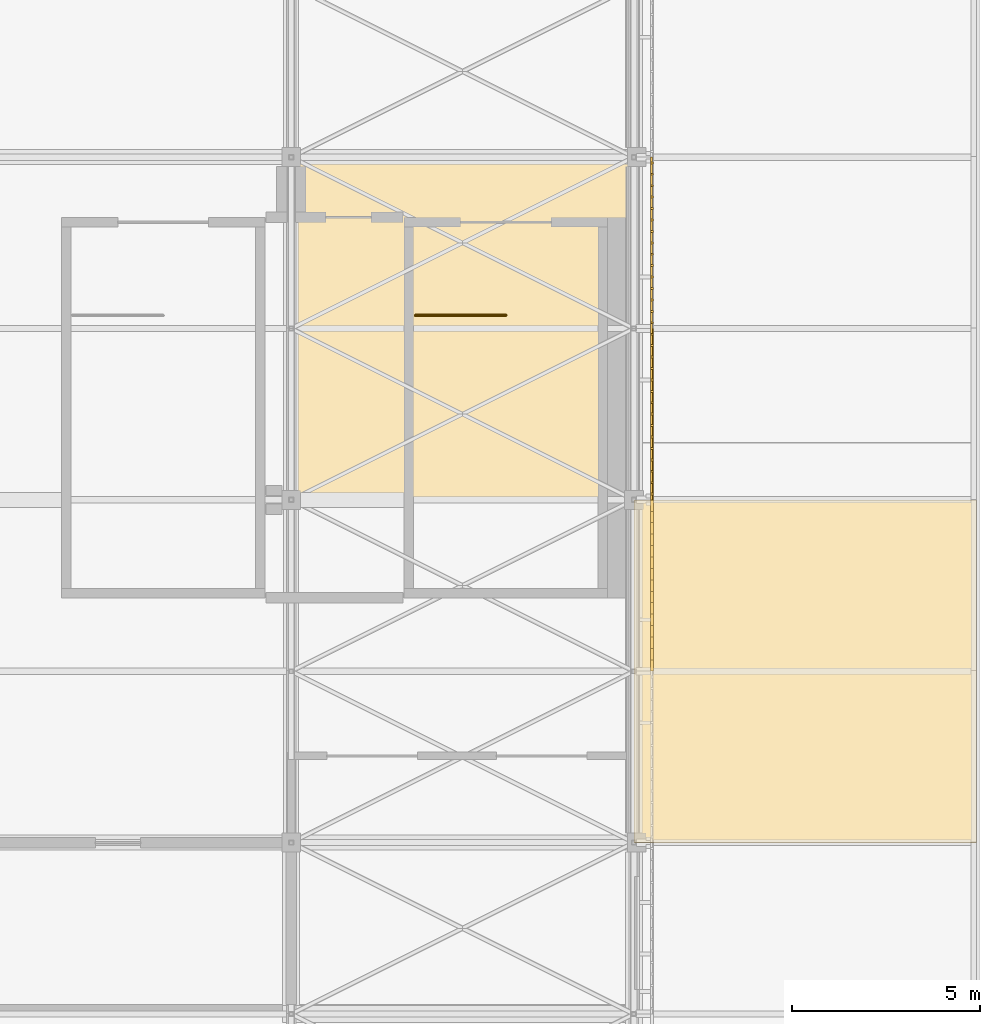
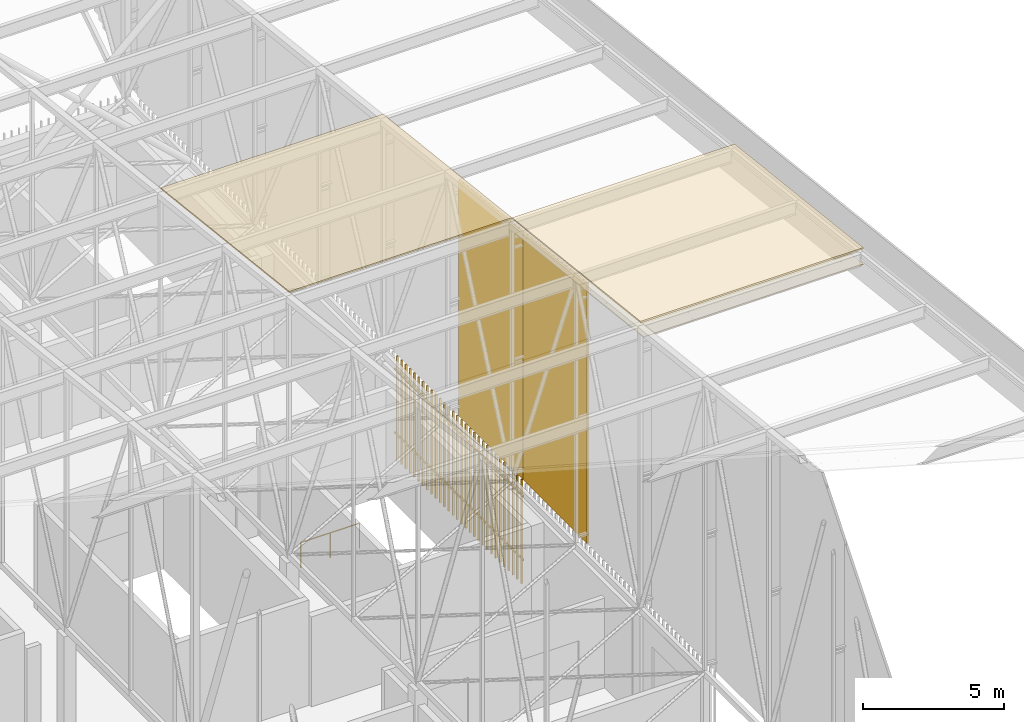
# One storey, part 494 of 500: 4 coverings, 3 shading devices, 1 railing.
"""IFC4 building model written with IfcOpenShell, lengths in metres."""

from ifc_helpers import new_model, si_unit, direction, frame, origin, origin_2d, place, context, subcontext, project, spatial, polyline, rectangle, circle, outline, extrude, material, layer, layer_set, type_object, element, save


model = new_model("IFC4")

# Units and contexts
model_context = context("Model", 3, precision=1e-05, world=origin(), true_north=direction((0.0, 1.0)))
body_context = subcontext(model_context, "Body", "Model", "MODEL_VIEW")
ifc_project = project(units=[si_unit("LENGTHUNIT", "METRE"), si_unit("AREAUNIT", "SQUARE_METRE"), si_unit("VOLUMEUNIT", "CUBIC_METRE"), si_unit("PLANEANGLEUNIT", "RADIAN"), si_unit("MASSUNIT", "GRAM", prefix="KILO")], contexts=[model_context])

# Site, building, storey
site_placement = place(None, origin())
site = spatial("IfcSite", under=ifc_project, at=site_placement, CompositionType="ELEMENT")
building_placement = place(site_placement, origin())
building = spatial("IfcBuilding", under=site, at=building_placement, Name="Shirokan Park Arena", CompositionType="ELEMENT")
storey_placement = place(building_placement, frame((0.0, 0.0, 29.1201171875)))
storey = spatial("IfcBuildingStorey", under=building, at=storey_placement, Name="L06", CompositionType="ELEMENT", Elevation=29.1201171875)

# Coverings
ifc_material_1 = material(Name="Bituminous roofing membrane")
ifc_layer_1 = layer(ifc_material_1, 0.010009765625, Name="Bituminous roofing membrane")
ifc_material_2 = material(Name="Mineral wool insulation")
ifc_layer_2 = layer(ifc_material_2, 0.050048828125, Name="Mineral wool insulation")
ifc_layer_set_1 = layer_set([ifc_layer_1, ifc_layer_2], Name="Bituminous roofing membrane + Mineral wool insulation")
covering_type_1 = type_object("IfcCoveringType", Name="Roofing membrane 60", PredefinedType="ROOFING", material=ifc_layer_set_1)
covering_1_placement = place(storey_placement, frame((136.5, 81.89990234375, 16.05078125), z_axis=(0.0, 0.113549598152, 0.993532328996), x_axis=(1.0, 0.0, 0.0)))
element("IfcCovering", 1, at=covering_1_placement, inside=storey, type_object=covering_type_1, Name="Roofing", PredefinedType="ROOFING", context=body_context, shape_type="SweptSolid", body=[
    extrude(outline(polyline([(0.0, 0.0), (9.10009765625, 0.0), (9.10009765625, 9.15933723611117), (0.0, 9.15933723611117), (0.0, 0.0)])), origin(), (0.0, 0.0, -1.0), 0.06005859375),
])
covering_2_placement = place(storey_placement, frame((145.60009765625, 72.800048828125, 17.090576171875), z_axis=(0.0, 0.113526293343, 0.993534992197), x_axis=(1.0, 0.0, 0.0)))
element("IfcCovering", 2, at=covering_2_placement, inside=storey, type_object=covering_type_1, Name="Roofing", PredefinedType="ROOFING", context=body_context, shape_type="SweptSolid", body=[
    extrude(outline(polyline([(0.0, 0.0), (9.099853515625, 0.0), (9.099853515625, 9.159066954957241), (0.0, 9.159066954957241), (0.0, 0.0)])), origin(), (0.0, 0.0, -1.0), 0.06005859375),
])

# Railing
ifc_material_3 = material(Name="Stainless steel", Category="steel")
railing_type = type_object("IfcRailingType", Name="Stair well guard 1100", PredefinedType="GUARDRAIL", material=ifc_material_3)
railing_placement = place(storey_placement, frame((139.800048828125, 86.800048828125, 0.0)))
element("IfcRailing", 3, at=railing_placement, inside=storey, type_object=railing_type, Name="Guard Exit Stair 3.E L06", PredefinedType="GUARDRAIL", context=body_context, shape_type="SweptSolid", body=[
    extrude(circle(Radius=0.02490234375, at=origin_2d()), frame((0.0, 0.0, 1.0771484375), z_axis=(1.0, 0.0, 0.0), x_axis=(0.0, 1.0, 0.0)), (0.0, 0.0, 1.0), 2.39990234375),
    extrude(circle(Radius=0.02490234375, at=origin_2d()), origin(), (0.0, 0.0, 1.0), 1.052001953125),
    extrude(circle(Radius=0.02490234375, at=origin_2d()), frame((1.199951171875, 0.0, 0.0)), (0.0, 0.0, 1.0), 1.052001953125),
    extrude(circle(Radius=0.02490234375, at=origin_2d()), frame((2.39990234375, 0.0, 0.0)), (0.0, 0.0, 1.0), 1.052001953125),
])

# Coverings
ifc_material_4 = material(Name="Timber soffit boards (cedar)", Category="wood")
ifc_layer_3 = layer(ifc_material_4, 0.030029296875)
ifc_layer_set_2 = layer_set([ifc_layer_3], Name="Timber soffit boards (cedar) 30 mm")
covering_type_2 = type_object("IfcCoveringType", Name="Timber boarded soffit panel", PredefinedType="CLADDING", material=ifc_layer_set_2)
covering_3_placement = place(storey_placement, origin())
element("IfcCovering", 4, at=covering_3_placement, inside=storey, type_object=covering_type_2, Name="Rake soffit east bay 19", PredefinedType="CLADDING", context=body_context, shape_type="SweptSolid", body=[
    extrude(outline(polyline([(0.0, 0.0), (0.12000000000000455, 0.0), (0.12000000000000455, -4.579617887990218), (0.0, -4.579617887990218), (0.0, 0.0)])), frame((145.846923828125, 72.800048828125, 16.3818359375), z_axis=(0.0, 0.113546591161, 0.993532672656), x_axis=(-1.0, 0.0, 0.0)), (0.0, 0.0, -1.0), 0.030029296875),
    extrude(outline(polyline([(0.0, 0.0), (0.11999999999997613, 0.0), (0.11999999999997613, -4.579617887990217), (0.0, -4.579617887990217), (0.0, 0.0)])), frame((154.580078125, 77.35009765625, 15.86181640625), z_axis=(0.0, 0.113546591161, 0.993532672656), x_axis=(1.0, 0.0, 0.0)), (0.0, 0.0, -1.0), 0.030029296875),
    extrude(outline(polyline([(0.0, 0.0), (0.12078064455862855, 0.0), (0.12078064455862855, -8.733000000000006), (0.0, -8.733000000000006), (0.0, 0.0)])), frame((154.580078125, 77.35009765625, 15.86181640625), z_axis=(0.0, 0.11351156512, 0.993536675007), x_axis=(0.0, -0.993536675007, 0.11351156512)), (0.0, 0.0, -1.0), 0.030029296875),
    extrude(outline(polyline([(0.0, 0.0), (0.12078064455864268, 0.0), (0.12078064455864268, -8.733000000000006), (0.0, -8.733000000000006), (0.0, 0.0)])), frame((145.846923828125, 72.800048828125, 16.3818359375), z_axis=(0.0, 0.11351156512, 0.993536675007), x_axis=(0.0, 0.993536675007, -0.11351156512)), (0.0, 0.0, -1.0), 0.030029296875),
    extrude(outline(polyline([(0.0, 0.0), (8.733000000000004, 0.0), (8.733000000000004, -0.18452428160000886), (0.0, -0.18452428160000886), (0.0, 0.0)])), frame((154.580078125, 72.919921875, 16.3681640625), z_axis=(0.0, 0.113589386818, 0.99352778079), x_axis=(-1.0, 0.0, 0.0)), (0.0, 0.0, -1.0), 0.030029296875),
    extrude(outline(polyline([(0.0, 0.0), (8.733000000000004, 0.0), (8.733000000000004, -0.3053137258624367), (0.0, -0.3053137258624367), (0.0, 0.0)])), frame((154.580078125, 73.103271484375, 16.34716796875), z_axis=(0.0, 0.113522573877, 0.993535417195), x_axis=(-1.0, 0.0, 0.0)), (0.0, 0.0, -1.0), 0.030029296875),
    extrude(outline(polyline([(0.0, 0.0), (8.733000000000004, 0.0), (8.733000000000004, -0.30530492593470027), (0.0, -0.30530492593470027), (0.0, 0.0)])), frame((154.580078125, 73.40673828125, 16.3125), z_axis=(0.0, 0.113558600124, 0.99353130013), x_axis=(-1.0, 0.0, 0.0)), (0.0, 0.0, -1.0), 0.030029296875),
    extrude(outline(polyline([(0.0, 0.0), (8.733000000000004, 0.0), (8.733000000000004, -0.3053049259347152), (0.0, -0.3053049259347152), (0.0, 0.0)])), frame((154.580078125, 73.7099609375, 16.27783203125), z_axis=(0.0, 0.113558600124, 0.99353130013), x_axis=(-1.0, 0.0, 0.0)), (0.0, 0.0, -1.0), 0.030029296875),
    extrude(outline(polyline([(0.0, 0.0), (8.733000000000004, 0.0), (8.733000000000004, -0.30531372586243666), (0.0, -0.30531372586243666), (0.0, 0.0)])), frame((154.580078125, 74.013427734375, 16.2431640625), z_axis=(0.0, 0.113522573877, 0.993535417195), x_axis=(-1.0, 0.0, 0.0)), (0.0, 0.0, -1.0), 0.030029296875),
    extrude(outline(polyline([(0.0, 0.0), (8.733000000000004, 0.0), (8.733000000000004, -0.3053049259347152), (0.0, -0.3053049259347152), (0.0, 0.0)])), frame((154.580078125, 74.316650390625, 16.20849609375), z_axis=(0.0, 0.113558600124, 0.99353130013), x_axis=(-1.0, 0.0, 0.0)), (0.0, 0.0, -1.0), 0.030029296875),
    extrude(outline(polyline([(0.0, 0.0), (8.733000000000004, 0.0), (8.733000000000004, -0.30530492593471437), (0.0, -0.30530492593471437), (0.0, 0.0)])), frame((154.580078125, 74.6201171875, 16.173828125), z_axis=(0.0, 0.113558600124, 0.99353130013), x_axis=(-1.0, 0.0, 0.0)), (0.0, 0.0, -1.0), 0.030029296875),
    extrude(outline(polyline([(0.0, 0.0), (8.733000000000004, 0.0), (8.733000000000004, -0.30531372586242256), (0.0, -0.30531372586242256), (0.0, 0.0)])), frame((154.580078125, 74.92333984375, 16.13916015625), z_axis=(0.0, 0.113522573877, 0.993535417195), x_axis=(-1.0, 0.0, 0.0)), (0.0, 0.0, -1.0), 0.030029296875),
    extrude(outline(polyline([(0.0, 0.0), (8.733000000000004, 0.0), (8.733000000000004, -0.30530492593471514), (0.0, -0.30530492593471514), (0.0, 0.0)])), frame((154.580078125, 75.2265625, 16.1044921875), z_axis=(0.0, 0.113558600124, 0.99353130013), x_axis=(-1.0, 0.0, 0.0)), (0.0, 0.0, -1.0), 0.030029296875),
    extrude(outline(polyline([(0.0, 0.0), (8.733000000000004, 0.0), (8.733000000000004, -0.30530492593471437), (0.0, -0.30530492593471437), (0.0, 0.0)])), frame((154.580078125, 75.530029296875, 16.06982421875), z_axis=(0.0, 0.113558600124, 0.99353130013), x_axis=(-1.0, 0.0, 0.0)), (0.0, 0.0, -1.0), 0.030029296875),
    extrude(outline(polyline([(0.0, 0.0), (8.733000000000004, 0.0), (8.733000000000004, -0.30531372586242334), (0.0, -0.30531372586242334), (0.0, 0.0)])), frame((154.580078125, 75.833251953125, 16.03515625), z_axis=(0.0, 0.113522573877, 0.993535417195), x_axis=(-1.0, 0.0, 0.0)), (0.0, 0.0, -1.0), 0.030029296875),
    extrude(outline(polyline([(0.0, 0.0), (8.733000000000004, 0.0), (8.733000000000004, -0.30530492593471437), (0.0, -0.30530492593471437), (0.0, 0.0)])), frame((154.580078125, 76.13671875, 16.00048828125), z_axis=(0.0, 0.113558600124, 0.99353130013), x_axis=(-1.0, 0.0, 0.0)), (0.0, 0.0, -1.0), 0.030029296875),
    extrude(outline(polyline([(0.0, 0.0), (8.733000000000004, 0.0), (8.733000000000004, -0.30530492593471437), (0.0, -0.30530492593471437), (0.0, 0.0)])), frame((154.580078125, 76.43994140625, 15.9658203125), z_axis=(0.0, 0.113558600124, 0.99353130013), x_axis=(-1.0, 0.0, 0.0)), (0.0, 0.0, -1.0), 0.030029296875),
    extrude(outline(polyline([(0.0, 0.0), (8.733000000000004, 0.0), (8.733000000000004, -0.3053137258624375), (0.0, -0.3053137258624375), (0.0, 0.0)])), frame((154.580078125, 76.743408203125, 15.93115234375), z_axis=(0.0, 0.113522573877, 0.993535417195), x_axis=(-1.0, 0.0, 0.0)), (0.0, 0.0, -1.0), 0.030029296875),
    extrude(outline(polyline([(0.0, 0.0), (0.18452428160000803, 0.0), (0.18452428160000803, -8.733000000000004), (0.0, -8.733000000000004), (0.0, 0.0)])), frame((154.580078125, 77.22998046875, 15.87548828125), z_axis=(0.0, 0.113589386818, 0.99352778079), x_axis=(0.0, -0.99352778079, 0.113589386818)), (0.0, 0.0, -1.0), 0.030029296875),
])
covering_4_placement = place(storey_placement, origin())
element("IfcCovering", 5, at=covering_4_placement, inside=storey, type_object=covering_type_2, Name="Rake soffit east bay 20", PredefinedType="CLADDING", context=body_context, shape_type="SweptSolid", body=[
    extrude(outline(polyline([(0.0, 0.0), (0.12000000000000455, 0.0), (0.12000000000000455, -4.579617887990231), (0.0, -4.579617887990231), (0.0, 0.0)])), frame((145.846923828125, 77.35009765625, 15.86181640625), z_axis=(0.0, 0.113546591161, 0.993532672656), x_axis=(-1.0, 0.0, 0.0)), (0.0, 0.0, -1.0), 0.030029296875),
    extrude(outline(polyline([(0.0, 0.0), (0.11999999999997613, 0.0), (0.11999999999997613, -4.5796178879902305), (0.0, -4.5796178879902305), (0.0, 0.0)])), frame((154.580078125, 81.89990234375, 15.341796875), z_axis=(0.0, 0.113546591161, 0.993532672656), x_axis=(1.0, 0.0, 0.0)), (0.0, 0.0, -1.0), 0.030029296875),
    extrude(outline(polyline([(0.0, 0.0), (0.12078064455864188, 0.0), (0.12078064455864188, -8.733000000000004), (0.0, -8.733000000000004), (0.0, 0.0)])), frame((154.580078125, 81.89990234375, 15.341796875), z_axis=(0.0, 0.11351156512, 0.993536675007), x_axis=(0.0, -0.993536675007, 0.11351156512)), (0.0, 0.0, -1.0), 0.030029296875),
    extrude(outline(polyline([(0.0, 0.0), (0.12078064455864188, 0.0), (0.12078064455864188, -8.733000000000004), (0.0, -8.733000000000004), (0.0, 0.0)])), frame((145.846923828125, 77.35009765625, 15.86181640625), z_axis=(0.0, 0.11351156512, 0.993536675007), x_axis=(0.0, 0.993536675007, -0.11351156512)), (0.0, 0.0, -1.0), 0.030029296875),
    extrude(outline(polyline([(0.0, 0.0), (8.733000000000004, 0.0), (8.733000000000004, -0.18452428160000886), (0.0, -0.18452428160000886), (0.0, 0.0)])), frame((154.580078125, 77.469970703125, 15.84814453125), z_axis=(0.0, 0.113589386818, 0.99352778079), x_axis=(-1.0, 0.0, 0.0)), (0.0, 0.0, -1.0), 0.030029296875),
    extrude(outline(polyline([(0.0, 0.0), (8.733000000000004, 0.0), (8.733000000000004, -0.3053137258624375), (0.0, -0.3053137258624375), (0.0, 0.0)])), frame((154.580078125, 77.6533203125, 15.8271484375), z_axis=(0.0, 0.113522573877, 0.993535417195), x_axis=(-1.0, 0.0, 0.0)), (0.0, 0.0, -1.0), 0.030029296875),
    extrude(outline(polyline([(0.0, 0.0), (8.733000000000004, 0.0), (8.733000000000004, -0.30530492593471437), (0.0, -0.30530492593471437), (0.0, 0.0)])), frame((154.580078125, 77.956787109375, 15.79248046875), z_axis=(0.0, 0.113558600124, 0.99353130013), x_axis=(-1.0, 0.0, 0.0)), (0.0, 0.0, -1.0), 0.030029296875),
    extrude(outline(polyline([(0.0, 0.0), (8.733000000000004, 0.0), (8.733000000000004, -0.3053049259347002), (0.0, -0.3053049259347002), (0.0, 0.0)])), frame((154.580078125, 78.260009765625, 15.7578125), z_axis=(0.0, 0.113558600124, 0.99353130013), x_axis=(-1.0, 0.0, 0.0)), (0.0, 0.0, -1.0), 0.030029296875),
    extrude(outline(polyline([(0.0, 0.0), (8.733000000000004, 0.0), (8.733000000000004, -0.3053137258624375), (0.0, -0.3053137258624375), (0.0, 0.0)])), frame((154.580078125, 78.563232421875, 15.72314453125), z_axis=(0.0, 0.113522573877, 0.993535417195), x_axis=(-1.0, 0.0, 0.0)), (0.0, 0.0, -1.0), 0.030029296875),
    extrude(outline(polyline([(0.0, 0.0), (8.733000000000004, 0.0), (8.733000000000004, -0.30530492593471437), (0.0, -0.30530492593471437), (0.0, 0.0)])), frame((154.580078125, 78.86669921875, 15.6884765625), z_axis=(0.0, 0.113558600124, 0.99353130013), x_axis=(-1.0, 0.0, 0.0)), (0.0, 0.0, -1.0), 0.030029296875),
    extrude(outline(polyline([(0.0, 0.0), (8.733000000000004, 0.0), (8.733000000000004, -0.30530492593471437), (0.0, -0.30530492593471437), (0.0, 0.0)])), frame((154.580078125, 79.169921875, 15.65380859375), z_axis=(0.0, 0.113558600124, 0.99353130013), x_axis=(-1.0, 0.0, 0.0)), (0.0, 0.0, -1.0), 0.030029296875),
    extrude(outline(polyline([(0.0, 0.0), (8.733000000000004, 0.0), (8.733000000000004, -0.3053137258624234), (0.0, -0.3053137258624234), (0.0, 0.0)])), frame((154.580078125, 79.473388671875, 15.619140625), z_axis=(0.0, 0.113522573877, 0.993535417195), x_axis=(-1.0, 0.0, 0.0)), (0.0, 0.0, -1.0), 0.030029296875),
    extrude(outline(polyline([(0.0, 0.0), (8.733000000000004, 0.0), (8.733000000000004, -0.30530492593471437), (0.0, -0.30530492593471437), (0.0, 0.0)])), frame((154.580078125, 79.776611328125, 15.58447265625), z_axis=(0.0, 0.113558600124, 0.99353130013), x_axis=(-1.0, 0.0, 0.0)), (0.0, 0.0, -1.0), 0.030029296875),
    extrude(outline(polyline([(0.0, 0.0), (8.733000000000004, 0.0), (8.733000000000004, -0.30530492593471437), (0.0, -0.30530492593471437), (0.0, 0.0)])), frame((154.580078125, 80.080078125, 15.5498046875), z_axis=(0.0, 0.113558600124, 0.99353130013), x_axis=(-1.0, 0.0, 0.0)), (0.0, 0.0, -1.0), 0.030029296875),
    extrude(outline(polyline([(0.0, 0.0), (8.733000000000004, 0.0), (8.733000000000004, -0.3053137258624375), (0.0, -0.3053137258624375), (0.0, 0.0)])), frame((154.580078125, 80.38330078125, 15.51513671875), z_axis=(0.0, 0.113522573877, 0.993535417195), x_axis=(-1.0, 0.0, 0.0)), (0.0, 0.0, -1.0), 0.030029296875),
    extrude(outline(polyline([(0.0, 0.0), (8.733000000000004, 0.0), (8.733000000000004, -0.3053049259347002), (0.0, -0.3053049259347002), (0.0, 0.0)])), frame((154.580078125, 80.686767578125, 15.48046875), z_axis=(0.0, 0.113558600124, 0.99353130013), x_axis=(-1.0, 0.0, 0.0)), (0.0, 0.0, -1.0), 0.030029296875),
    extrude(outline(polyline([(0.0, 0.0), (8.733000000000004, 0.0), (8.733000000000004, -0.30530492593471514), (0.0, -0.30530492593471514), (0.0, 0.0)])), frame((154.580078125, 80.989990234375, 15.44580078125), z_axis=(0.0, 0.113558600124, 0.99353130013), x_axis=(-1.0, 0.0, 0.0)), (0.0, 0.0, -1.0), 0.030029296875),
    extrude(outline(polyline([(0.0, 0.0), (8.733000000000004, 0.0), (8.733000000000004, -0.3053137258624367), (0.0, -0.3053137258624367), (0.0, 0.0)])), frame((154.580078125, 81.293212890625, 15.4111328125), z_axis=(0.0, 0.113522573877, 0.993535417195), x_axis=(-1.0, 0.0, 0.0)), (0.0, 0.0, -1.0), 0.030029296875),
    extrude(outline(polyline([(0.0, 0.0), (0.18452428160000886, 0.0), (0.18452428160000886, -8.733000000000004), (0.0, -8.733000000000004), (0.0, 0.0)])), frame((154.580078125, 81.780029296875, 15.355712890625), z_axis=(0.0, 0.113589386818, 0.99352778079), x_axis=(0.0, -0.99352778079, 0.113589386818)), (0.0, 0.0, -1.0), 0.030029296875),
])

# Shading devices
ifc_material_5 = material(Name="Timber louvre veil (cedar)", Category="wood")
shading_device_type_1 = type_object("IfcShadingDeviceType", Name="Timber louvre veil panel", PredefinedType="JALOUSIE", material=ifc_material_5)
shading_device_1_placement = place(storey_placement, origin())
element("IfcShadingDevice", 6, at=shading_device_1_placement, inside=storey, type_object=shading_device_type_1, Name="Timber louvre veil east bay 10 L06", PredefinedType="JALOUSIE", context=body_context, shape_type="SweptSolid", body=[
    extrude(rectangle(XDim=0.050048828125, YDim=0.080078125, at=origin_2d()), frame((146.0849609375, 82.0517578125, 0.0), z_axis=(0.0, 0.0, 1.0), x_axis=(0.0, 1.0, 0.0)), (0.0, 0.0, 1.0), 4.5),
    extrude(rectangle(XDim=0.050048828125, YDim=0.080078125, at=origin_2d()), frame((146.0849609375, 82.35498046875, 0.0), z_axis=(0.0, 0.0, 1.0), x_axis=(0.0, 1.0, 0.0)), (0.0, 0.0, 1.0), 4.5),
    extrude(rectangle(XDim=0.050048828125, YDim=0.080078125, at=origin_2d()), frame((146.0849609375, 82.658447265625, 0.0), z_axis=(0.0, 0.0, 1.0), x_axis=(0.0, 1.0, 0.0)), (0.0, 0.0, 1.0), 4.5),
    extrude(rectangle(XDim=0.050048828125, YDim=0.080078125, at=origin_2d()), frame((146.0849609375, 82.961669921875, 0.0), z_axis=(0.0, 0.0, 1.0), x_axis=(0.0, 1.0, 0.0)), (0.0, 0.0, 1.0), 4.5),
    extrude(rectangle(XDim=0.050048828125, YDim=0.080078125, at=origin_2d()), frame((146.0849609375, 83.264892578125, 0.0), z_axis=(0.0, 0.0, 1.0), x_axis=(0.0, 1.0, 0.0)), (0.0, 0.0, 1.0), 4.5),
    extrude(rectangle(XDim=0.050048828125, YDim=0.080078125, at=origin_2d()), frame((146.0849609375, 83.568359375, 0.0), z_axis=(0.0, 0.0, 1.0), x_axis=(0.0, 1.0, 0.0)), (0.0, 0.0, 1.0), 4.5),
    extrude(rectangle(XDim=0.050048828125, YDim=0.080078125, at=origin_2d()), frame((146.0849609375, 83.87158203125, 0.0), z_axis=(0.0, 0.0, 1.0), x_axis=(0.0, 1.0, 0.0)), (0.0, 0.0, 1.0), 4.5),
    extrude(rectangle(XDim=0.050048828125, YDim=0.080078125, at=origin_2d()), frame((146.0849609375, 84.175048828125, 0.0), z_axis=(0.0, 0.0, 1.0), x_axis=(0.0, 1.0, 0.0)), (0.0, 0.0, 1.0), 4.5),
    extrude(rectangle(XDim=0.050048828125, YDim=0.080078125, at=origin_2d()), frame((146.0849609375, 84.478271484375, 0.0), z_axis=(0.0, 0.0, 1.0), x_axis=(0.0, 1.0, 0.0)), (0.0, 0.0, 1.0), 4.5),
    extrude(rectangle(XDim=0.050048828125, YDim=0.080078125, at=origin_2d()), frame((146.0849609375, 84.78173828125, 0.0), z_axis=(0.0, 0.0, 1.0), x_axis=(0.0, 1.0, 0.0)), (0.0, 0.0, 1.0), 4.5),
    extrude(rectangle(XDim=0.050048828125, YDim=0.080078125, at=origin_2d()), frame((146.0849609375, 85.0849609375, 0.0), z_axis=(0.0, 0.0, 1.0), x_axis=(0.0, 1.0, 0.0)), (0.0, 0.0, 1.0), 4.5),
    extrude(rectangle(XDim=0.050048828125, YDim=0.080078125, at=origin_2d()), frame((146.0849609375, 85.388427734375, 0.0), z_axis=(0.0, 0.0, 1.0), x_axis=(0.0, 1.0, 0.0)), (0.0, 0.0, 1.0), 4.5),
    extrude(rectangle(XDim=0.050048828125, YDim=0.080078125, at=origin_2d()), frame((146.0849609375, 85.691650390625, 0.0), z_axis=(0.0, 0.0, 1.0), x_axis=(0.0, 1.0, 0.0)), (0.0, 0.0, 1.0), 4.5),
    extrude(rectangle(XDim=0.050048828125, YDim=0.080078125, at=origin_2d()), frame((146.0849609375, 85.9951171875, 0.0), z_axis=(0.0, 0.0, 1.0), x_axis=(0.0, 1.0, 0.0)), (0.0, 0.0, 1.0), 4.5),
    extrude(rectangle(XDim=0.050048828125, YDim=0.080078125, at=origin_2d()), frame((146.0849609375, 86.29833984375, 0.0), z_axis=(0.0, 0.0, 1.0), x_axis=(0.0, 1.0, 0.0)), (0.0, 0.0, 1.0), 4.5),
    extrude(rectangle(XDim=0.050048828125, YDim=0.080078125, at=origin_2d()), frame((146.0849609375, 86.6015625, 0.0), z_axis=(0.0, 0.0, 1.0), x_axis=(0.0, 1.0, 0.0)), (0.0, 0.0, 1.0), 4.5),
    extrude(rectangle(XDim=0.050048828125, YDim=0.080078125, at=origin_2d()), frame((146.0849609375, 86.905029296875, 0.0), z_axis=(0.0, 0.0, 1.0), x_axis=(0.0, 1.0, 0.0)), (0.0, 0.0, 1.0), 4.5),
    extrude(rectangle(XDim=0.050048828125, YDim=0.080078125, at=origin_2d()), frame((146.0849609375, 87.208251953125, 0.0), z_axis=(0.0, 0.0, 1.0), x_axis=(0.0, 1.0, 0.0)), (0.0, 0.0, 1.0), 4.5),
    extrude(rectangle(XDim=0.050048828125, YDim=0.080078125, at=origin_2d()), frame((146.0849609375, 87.51171875, 0.0), z_axis=(0.0, 0.0, 1.0), x_axis=(0.0, 1.0, 0.0)), (0.0, 0.0, 1.0), 4.5),
    extrude(rectangle(XDim=0.050048828125, YDim=0.080078125, at=origin_2d()), frame((146.0849609375, 87.81494140625, 0.0), z_axis=(0.0, 0.0, 1.0), x_axis=(0.0, 1.0, 0.0)), (0.0, 0.0, 1.0), 4.5),
    extrude(rectangle(XDim=0.050048828125, YDim=0.080078125, at=origin_2d()), frame((146.0849609375, 88.118408203125, 0.0), z_axis=(0.0, 0.0, 1.0), x_axis=(0.0, 1.0, 0.0)), (0.0, 0.0, 1.0), 4.5),
    extrude(rectangle(XDim=0.050048828125, YDim=0.080078125, at=origin_2d()), frame((146.0849609375, 88.421630859375, 0.0), z_axis=(0.0, 0.0, 1.0), x_axis=(0.0, 1.0, 0.0)), (0.0, 0.0, 1.0), 4.5),
    extrude(rectangle(XDim=0.050048828125, YDim=0.080078125, at=origin_2d()), frame((146.0849609375, 88.72509765625, 0.0), z_axis=(0.0, 0.0, 1.0), x_axis=(0.0, 1.0, 0.0)), (0.0, 0.0, 1.0), 4.5),
    extrude(rectangle(XDim=0.050048828125, YDim=0.080078125, at=origin_2d()), frame((146.0849609375, 89.0283203125, 0.0), z_axis=(0.0, 0.0, 1.0), x_axis=(0.0, 1.0, 0.0)), (0.0, 0.0, 1.0), 4.5),
    extrude(rectangle(XDim=0.050048828125, YDim=0.080078125, at=origin_2d()), frame((146.0849609375, 89.331787109375, 0.0), z_axis=(0.0, 0.0, 1.0), x_axis=(0.0, 1.0, 0.0)), (0.0, 0.0, 1.0), 4.5),
    extrude(rectangle(XDim=0.050048828125, YDim=0.080078125, at=origin_2d()), frame((146.0849609375, 89.635009765625, 0.0), z_axis=(0.0, 0.0, 1.0), x_axis=(0.0, 1.0, 0.0)), (0.0, 0.0, 1.0), 4.5),
    extrude(rectangle(XDim=0.050048828125, YDim=0.080078125, at=origin_2d()), frame((146.0849609375, 89.938232421875, 0.0), z_axis=(0.0, 0.0, 1.0), x_axis=(0.0, 1.0, 0.0)), (0.0, 0.0, 1.0), 4.5),
    extrude(rectangle(XDim=0.050048828125, YDim=0.080078125, at=origin_2d()), frame((146.0849609375, 90.24169921875, 0.0), z_axis=(0.0, 0.0, 1.0), x_axis=(0.0, 1.0, 0.0)), (0.0, 0.0, 1.0), 4.5),
    extrude(rectangle(XDim=0.050048828125, YDim=0.080078125, at=origin_2d()), frame((146.0849609375, 90.544921875, 0.0), z_axis=(0.0, 0.0, 1.0), x_axis=(0.0, 1.0, 0.0)), (0.0, 0.0, 1.0), 4.5),
    extrude(rectangle(XDim=0.050048828125, YDim=0.080078125, at=origin_2d()), frame((146.0849609375, 90.848388671875, 0.0), z_axis=(0.0, 0.0, 1.0), x_axis=(0.0, 1.0, 0.0)), (0.0, 0.0, 1.0), 4.5),
    extrude(rectangle(XDim=9.10009765625, YDim=0.050048828125, at=origin_2d()), frame((146.070068359375, 86.449951171875, 1.059814453125), z_axis=(0.0, 0.0, 1.0), x_axis=(0.0, 1.0, 0.0)), (0.0, 0.0, 1.0), 0.080078125),
    extrude(rectangle(XDim=9.10009765625, YDim=0.050048828125, at=origin_2d()), frame((146.070068359375, 86.449951171875, 3.809814453125), z_axis=(0.0, 0.0, 1.0), x_axis=(0.0, 1.0, 0.0)), (0.0, 0.0, 1.0), 0.080078125),
])
shading_device_type_2 = type_object("IfcShadingDeviceType", Name="Timber louvre veil panel, gable band, closed", PredefinedType="JALOUSIE", material=ifc_material_5)
shading_device_2_placement = place(storey_placement, origin())
element("IfcShadingDevice", 7, at=shading_device_2_placement, inside=storey, type_object=shading_device_type_2, Name="Timber louvre veil gable band east bay 20", PredefinedType="JALOUSIE", context=body_context, shape_type="SweptSolid", body=[
    extrude(outline(polyline([(81.89990234375, 4.575927734375), (81.89990234375, 15.311767578125), (81.5966796875, 15.311767578125), (81.5966796875, 15.346435546875), (81.293212890625, 15.346435546875), (81.293212890625, 15.381103515625), (80.989990234375, 15.381103515625), (80.989990234375, 15.415771484375), (80.686767578125, 15.415771484375), (80.686767578125, 15.450439453125), (80.38330078125, 15.450439453125), (80.38330078125, 15.485107421875), (80.080078125, 15.485107421875), (80.080078125, 15.519775390625), (79.776611328125, 15.519775390625), (79.776611328125, 15.554443359375), (79.473388671875, 15.554443359375), (79.473388671875, 15.589111328125), (79.169921875, 15.589111328125), (79.169921875, 15.623779296875), (78.86669921875, 15.623779296875), (78.86669921875, 15.658447265625), (78.563232421875, 15.658447265625), (78.563232421875, 15.693115234375), (78.260009765625, 15.693115234375), (78.260009765625, 15.727783203125), (77.956787109375, 15.727783203125), (77.956787109375, 15.762451171875), (77.6533203125, 15.762451171875), (77.6533203125, 15.797119140625), (77.35009765625, 15.797119140625), (77.35009765625, 4.575927734375), (81.89990234375, 4.575927734375)])), frame((146.044921875, 0.0, 0.0), z_axis=(1.0, 0.0, 0.0), x_axis=(0.0, 1.0, 0.0)), (0.0, 0.0, 1.0), 0.080078125),
    extrude(rectangle(XDim=0.050048828125, YDim=4.550048828125, at=origin_2d()), frame((146.070068359375, 79.625, 4.98583984375), z_axis=(0.0, 0.0, 1.0), x_axis=(1.0, 0.0, 0.0)), (0.0, 0.0, 1.0), 0.080078125),
    extrude(rectangle(XDim=0.050048828125, YDim=4.550048828125, at=origin_2d()), frame((146.070068359375, 79.625, 9.90380859375), z_axis=(0.0, 0.0, 1.0), x_axis=(1.0, 0.0, 0.0)), (0.0, 0.0, 1.0), 0.080078125),
    extrude(rectangle(XDim=0.050048828125, YDim=4.550048828125, at=origin_2d()), frame((146.070068359375, 79.625, 15.171875), z_axis=(0.0, 0.0, 1.0), x_axis=(1.0, 0.0, 0.0)), (0.0, 0.0, 1.0), 0.080078125),
])
shading_device_3_placement = place(storey_placement, origin())
element("IfcShadingDevice", 8, at=shading_device_3_placement, inside=storey, type_object=shading_device_type_2, Name="Timber louvre veil gable band east bay 21", PredefinedType="JALOUSIE", context=body_context, shape_type="SweptSolid", body=[
    extrude(outline(polyline([(86.449951171875, 4.575927734375), (86.449951171875, 14.7919921875), (86.146728515625, 14.7919921875), (86.146728515625, 14.82666015625), (85.84326171875, 14.82666015625), (85.84326171875, 14.861328125), (85.5400390625, 14.861328125), (85.5400390625, 14.89599609375), (85.236572265625, 14.89599609375), (85.236572265625, 14.9306640625), (84.933349609375, 14.9306640625), (84.933349609375, 14.96533203125), (84.6298828125, 14.96533203125), (84.6298828125, 15.0), (84.32666015625, 15.0), (84.32666015625, 15.03466796875), (84.0234375, 15.03466796875), (84.0234375, 15.0693359375), (83.719970703125, 15.0693359375), (83.719970703125, 15.10400390625), (83.416748046875, 15.10400390625), (83.416748046875, 15.138671875), (83.11328125, 15.138671875), (83.11328125, 15.173095703125), (82.81005859375, 15.173095703125), (82.81005859375, 15.207763671875), (82.506591796875, 15.207763671875), (82.506591796875, 15.242431640625), (82.203369140625, 15.242431640625), (82.203369140625, 15.277099609375), (81.89990234375, 15.277099609375), (81.89990234375, 4.575927734375), (86.449951171875, 4.575927734375)])), frame((146.044921875, 0.0, 0.0), z_axis=(1.0, 0.0, 0.0), x_axis=(0.0, 1.0, 0.0)), (0.0, 0.0, 1.0), 0.080078125),
    extrude(rectangle(XDim=0.050048828125, YDim=4.550048828125, at=origin_2d()), frame((146.070068359375, 84.175048828125, 4.98583984375), z_axis=(0.0, 0.0, 1.0), x_axis=(1.0, 0.0, 0.0)), (0.0, 0.0, 1.0), 0.080078125),
    extrude(rectangle(XDim=0.050048828125, YDim=4.550048828125, at=origin_2d()), frame((146.070068359375, 84.175048828125, 9.643798828125), z_axis=(0.0, 0.0, 1.0), x_axis=(1.0, 0.0, 0.0)), (0.0, 0.0, 1.0), 0.080078125),
    extrude(rectangle(XDim=0.050048828125, YDim=4.550048828125, at=origin_2d()), frame((146.070068359375, 84.175048828125, 14.65185546875), z_axis=(0.0, 0.0, 1.0), x_axis=(1.0, 0.0, 0.0)), (0.0, 0.0, 1.0), 0.080078125),
])

save(model, "model.ifc")
